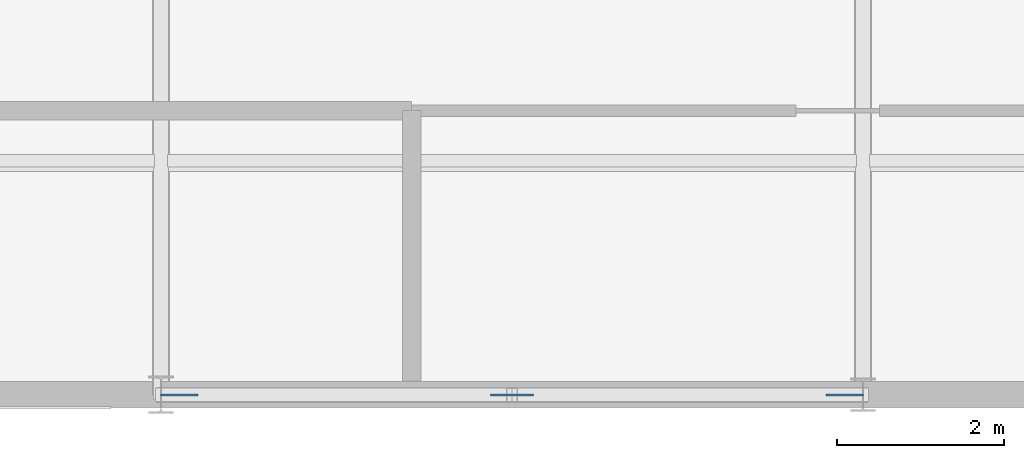
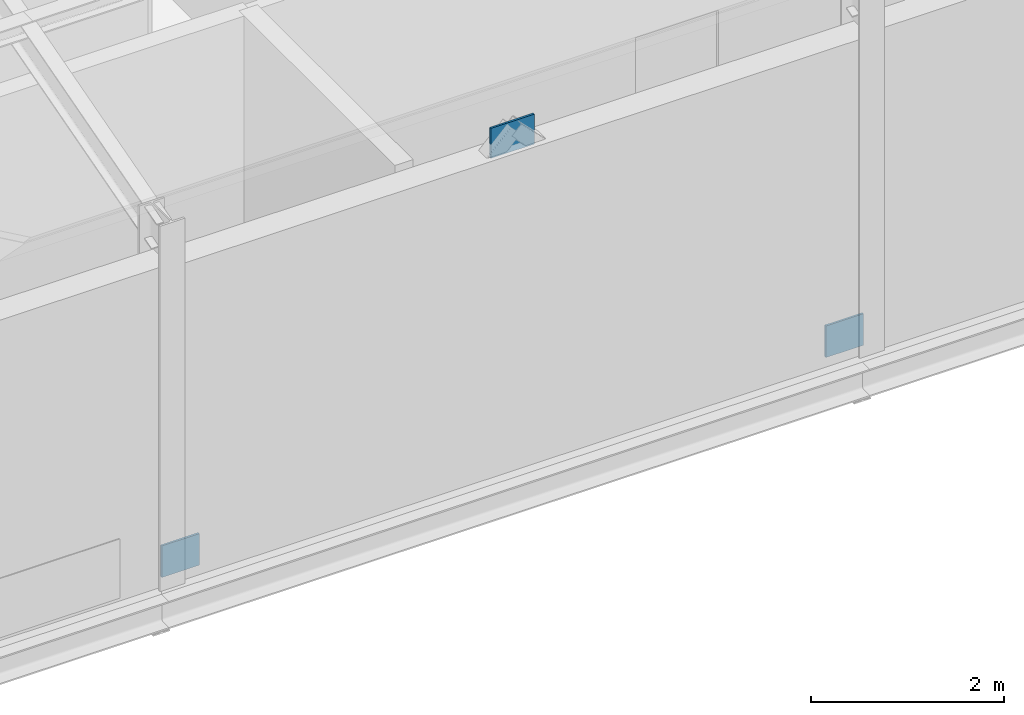
# One storey, part 52 of 53: 3 discrete accessories.
"""IFC4 building model written with IfcOpenShell, lengths in metres."""

from ifc_helpers import new_model, si_unit, direction, frame, origin, origin_2d, place, context, subcontext, project, spatial, rectangle, extrude, material, type_object, element, save


model = new_model("IFC4")

# Units and contexts
model_context = context("Model", 3, precision=1e-05, world=origin(), true_north=direction((0.0, 1.0)))
body_context = subcontext(model_context, "Body", "Model", "MODEL_VIEW")
ifc_project = project(units=[si_unit("LENGTHUNIT", "METRE"), si_unit("AREAUNIT", "SQUARE_METRE"), si_unit("VOLUMEUNIT", "CUBIC_METRE"), si_unit("PLANEANGLEUNIT", "RADIAN"), si_unit("MASSUNIT", "GRAM", prefix="KILO")], contexts=[model_context])

# Site, building, storey
site_placement = place(None, origin())
site = spatial("IfcSite", under=ifc_project, at=site_placement, CompositionType="ELEMENT")
building_placement = place(site_placement, origin())
building = spatial("IfcBuilding", under=site, at=building_placement, Name="Qalvenar Corner Mobility Hub", CompositionType="ELEMENT")
storey_placement = place(building_placement, frame((0.0, 0.0, 26.39990234375)))
storey = spatial("IfcBuildingStorey", under=building, at=storey_placement, Name="L06", CompositionType="ELEMENT", Elevation=26.39990234375)

# Discrete accessories
ifc_material = material(Name="Steel S355", Category="steel")
discrete_accessory_type = type_object("IfcDiscreteAccessoryType", Name="ACC-GUSSET-PLT", PredefinedType="BRACKET", material=ifc_material)
discrete_accessory_placement = place(storey_placement, frame((21.0, 0.0, 3.93017578125), z_axis=(0.0, 0.0, 1.0), x_axis=(1.0, 0.0, 0.0)))
element("IfcDiscreteAccessory", 1, at=discrete_accessory_placement, inside=storey, type_object=discrete_accessory_type, Name="Chevron Apex Gusset Plate GP-A-082", PredefinedType="BRACKET", context=body_context, shape_type="SweptSolid", body=[
    extrude(rectangle(XDim=0.52001953125, YDim=0.02490234375, at=origin_2d()), origin(), (0.0, 0.0, 1.0), 0.3798828125),
])
for number, where, z_axis, x_axis, name in (
    (2, (17.02001953125, 0.0, 0.000244140625), (0.0, 0.0, 1.0), (1.0, 0.0, 0.0), "Brace Base Gusset Plate GP-B-083"),
    (3, (24.97998046875, 0.0, 0.000244140625), (0.0, 0.0, 1.0), (1.0, 0.0, 0.0), "Brace Base Gusset Plate GP-B-084"),
):
    element("IfcDiscreteAccessory", number, at=place(storey_placement, frame(where, z_axis=z_axis, x_axis=x_axis)), inside=storey, type_object=discrete_accessory_type, Name=name, PredefinedType="BRACKET", context=body_context, shape_type="SweptSolid", body=[
        extrude(rectangle(XDim=0.449951171875, YDim=0.02490234375, at=origin_2d()), origin(), (0.0, 0.0, 1.0), 0.39990234375),
    ])

save(model, "model.ifc")
